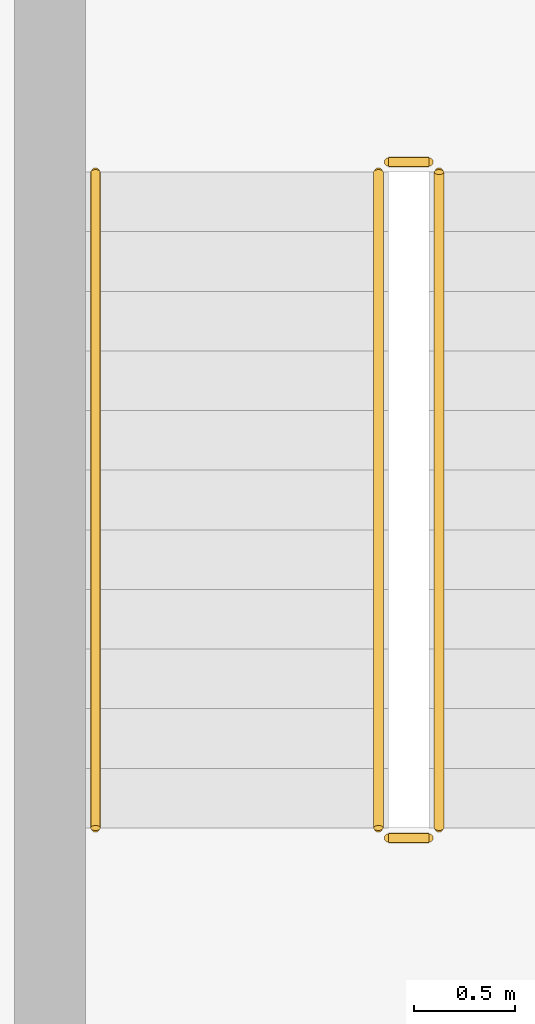
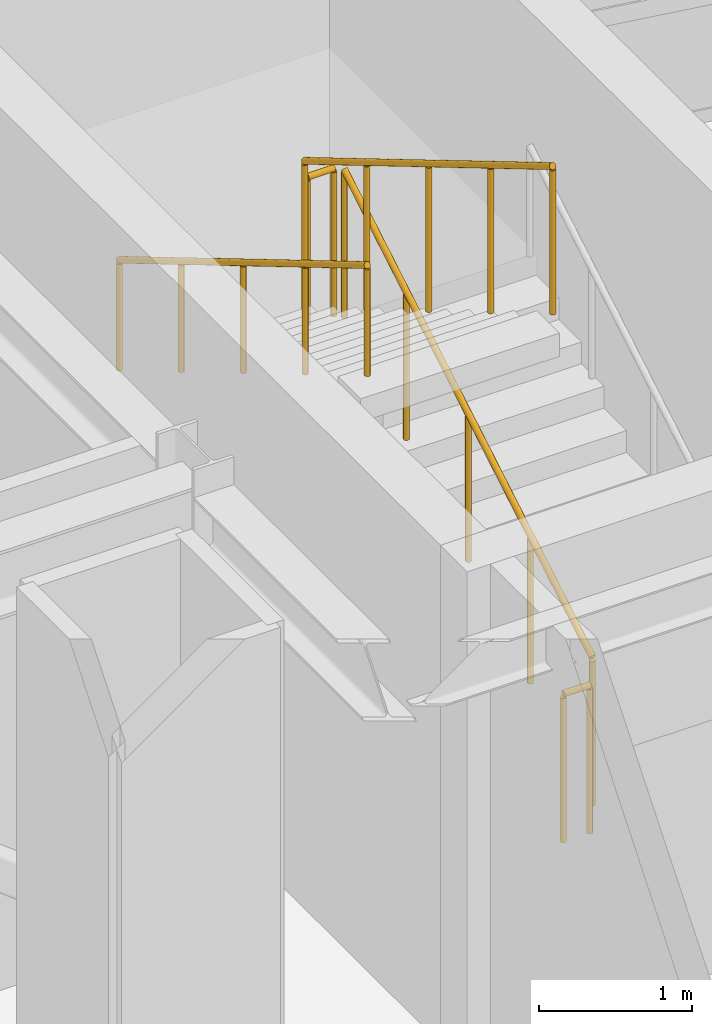
# One storey, part 75 of 76: 5 railings.
"""IFC4 building model written with IfcOpenShell, lengths in metres."""

from ifc_helpers import new_model, si_unit, direction, frame, origin, origin_2d, place, context, subcontext, project, spatial, circle, extrude, material, layer, layer_set, type_object, element, save


model = new_model("IFC4")

# Units and contexts
model_context = context("Model", 3, precision=1e-05, world=origin(), true_north=direction((0.0, 1.0)))
body_context = subcontext(model_context, "Body", "Model", "MODEL_VIEW")
ifc_project = project(units=[si_unit("LENGTHUNIT", "METRE"), si_unit("AREAUNIT", "SQUARE_METRE"), si_unit("VOLUMEUNIT", "CUBIC_METRE"), si_unit("PLANEANGLEUNIT", "RADIAN"), si_unit("MASSUNIT", "GRAM", prefix="KILO")], contexts=[model_context])

# Site, building, storey
site_placement = place(None, origin())
site = spatial("IfcSite", under=ifc_project, at=site_placement, CompositionType="ELEMENT")
building_placement = place(site_placement, origin())
building = spatial("IfcBuilding", under=site, at=building_placement, Name="Nordkorset Police Headquarters", CompositionType="ELEMENT")
storey_placement = place(building_placement, frame((0.0, 0.0, 13.64990234375)))
storey = spatial("IfcBuildingStorey", under=building, at=storey_placement, Name="L03", CompositionType="ELEMENT", Elevation=13.64990234375)

# Railings
ifc_material_1 = material(Name="Steel S355J2", Category="steel")
ifc_layer_1 = layer(ifc_material_1, 0.048095703125, Name="Steel S355J2")
ifc_layer_set_1 = layer_set([ifc_layer_1], Name="Steel S355J2")
railing_type_1 = type_object("IfcRailingType", Name="Railing_Handrail_900", PredefinedType="HANDRAIL", material=ifc_layer_set_1)
railing_1_placement = place(storey_placement, frame((58.97509765625, 113.77001953125, 2.275146484375)))
element("IfcRailing", 1, at=railing_1_placement, inside=storey, type_object=railing_type_1, Name="L03 ST-02 stair handrail 2", PredefinedType="HANDRAIL", context=body_context, shape_type="SweptSolid", body=[
    extrude(circle(Radius=0.02392578125, at=origin_2d()), frame((0.0, 0.0, 0.8759765625), z_axis=(0.0, -0.860057060016, 0.510197857224), x_axis=(1.0, 0.0, 0.0)), (0.0, 0.0, 1.0), 3.773193359375),
    extrude(circle(Radius=0.02099609375, at=origin_2d()), origin(), (0.0, 0.0, 1.0), 0.851806640625),
    extrude(circle(Radius=0.02099609375, at=origin_2d()), frame((0.0, -0.811279296875, 0.481201171875)), (0.0, 0.0, 1.0), 0.851806640625),
    extrude(circle(Radius=0.02099609375, at=origin_2d()), frame((0.0, -1.62255859375, 0.96240234375)), (0.0, 0.0, 1.0), 0.851806640625),
    extrude(circle(Radius=0.02099609375, at=origin_2d()), frame((0.0, -2.433837890625, 1.44384765625)), (0.0, 0.0, 1.0), 0.851806640625),
    extrude(circle(Radius=0.02099609375, at=origin_2d()), frame((0.0, -3.2451171875, 1.925048828125)), (0.0, 0.0, 1.0), 0.851806640625),
])
ifc_material_2 = material(Name="Steel S355J2", Category="steel")
ifc_layer_2 = layer(ifc_material_2, 0.050048828125, Name="Steel S355J2")
ifc_layer_set_2 = layer_set([ifc_layer_2], Name="Steel S355J2")
railing_type_2 = type_object("IfcRailingType", Name="Railing_StairGuard_1200", PredefinedType="GUARDRAIL", material=ifc_layer_set_2)
railing_2_placement = place(storey_placement, frame((60.675048828125, 110.52490234375, 0.175048828125)))
element("IfcRailing", 2, at=railing_2_placement, inside=storey, type_object=railing_type_2, Name="L03 ST-02 stair guard 1", PredefinedType="GUARDRAIL", context=body_context, shape_type="SweptSolid", body=[
    extrude(circle(Radius=0.02392578125, at=origin_2d()), frame((0.0, 0.0, 1.17578125), z_axis=(0.0, 0.860057060016, 0.510197857224), x_axis=(-1.0, 0.0, 0.0)), (0.0, 0.0, 1.0), 3.773193359375),
    extrude(circle(Radius=0.02099609375, at=origin_2d()), origin(), (0.0, 0.0, 1.0), 1.15185546875),
    extrude(circle(Radius=0.02099609375, at=origin_2d()), frame((0.0, 0.811279296875, 0.481201171875)), (0.0, 0.0, 1.0), 1.15185546875),
    extrude(circle(Radius=0.02099609375, at=origin_2d()), frame((0.0, 1.62255859375, 0.96240234375)), (0.0, 0.0, 1.0), 1.15185546875),
    extrude(circle(Radius=0.02099609375, at=origin_2d()), frame((0.0, 2.433837890625, 1.44384765625)), (0.0, 0.0, 1.0), 1.15185546875),
    extrude(circle(Radius=0.02099609375, at=origin_2d()), frame((0.0, 3.2451171875, 1.925048828125)), (0.0, 0.0, 1.0), 1.15185546875),
])
railing_3_placement = place(storey_placement, frame((60.625, 113.820068359375, 2.10009765625)))
element("IfcRailing", 3, at=railing_3_placement, inside=storey, type_object=railing_type_2, Name="L03 ST-02 stair guard 2", PredefinedType="GUARDRAIL", context=body_context, shape_type="SweptSolid", body=[
    extrude(circle(Radius=0.02392578125, at=origin_2d()), frame((0.0, 0.0, 1.17578125), z_axis=(-1.0, 0.0, 0.0), x_axis=(0.0, -1.0, 0.0)), (0.0, 0.0, 1.0), 0.199951171875),
    extrude(circle(Radius=0.02099609375, at=origin_2d()), origin(), (0.0, 0.0, 1.0), 1.15185546875),
    extrude(circle(Radius=0.02099609375, at=origin_2d()), frame((-0.199951171875, 0.0, 0.0)), (0.0, 0.0, 1.0), 1.15185546875),
])
railing_4_placement = place(storey_placement, frame((60.375, 113.77001953125, 2.275146484375)))
element("IfcRailing", 4, at=railing_4_placement, inside=storey, type_object=railing_type_2, Name="L03 ST-02 stair guard 3", PredefinedType="GUARDRAIL", context=body_context, shape_type="SweptSolid", body=[
    extrude(circle(Radius=0.02392578125, at=origin_2d()), frame((0.0, 0.0, 1.17578125), z_axis=(0.0, -0.860057060016, 0.510197857224), x_axis=(1.0, 0.0, 0.0)), (0.0, 0.0, 1.0), 3.773193359375),
    extrude(circle(Radius=0.02099609375, at=origin_2d()), origin(), (0.0, 0.0, 1.0), 1.15185546875),
    extrude(circle(Radius=0.02099609375, at=origin_2d()), frame((0.0, -0.811279296875, 0.481201171875)), (0.0, 0.0, 1.0), 1.15185546875),
    extrude(circle(Radius=0.02099609375, at=origin_2d()), frame((0.0, -1.62255859375, 0.96240234375)), (0.0, 0.0, 1.0), 1.15185546875),
    extrude(circle(Radius=0.02099609375, at=origin_2d()), frame((0.0, -2.433837890625, 1.44384765625)), (0.0, 0.0, 1.0), 1.15185546875),
    extrude(circle(Radius=0.02099609375, at=origin_2d()), frame((0.0, -3.2451171875, 1.925048828125)), (0.0, 0.0, 1.0), 1.15185546875),
])
railing_5_placement = place(storey_placement, frame((60.625, 110.47509765625, 0.0)))
element("IfcRailing", 5, at=railing_5_placement, inside=storey, type_object=railing_type_2, Name="L03 ST-02 stair guard 4", PredefinedType="GUARDRAIL", context=body_context, shape_type="SweptSolid", body=[
    extrude(circle(Radius=0.02392578125, at=origin_2d()), frame((0.0, 0.0, 1.17578125), z_axis=(-1.0, 0.0, 0.0), x_axis=(0.0, -1.0, 0.0)), (0.0, 0.0, 1.0), 0.199951171875),
    extrude(circle(Radius=0.02099609375, at=origin_2d()), origin(), (0.0, 0.0, 1.0), 1.15185546875),
    extrude(circle(Radius=0.02099609375, at=origin_2d()), frame((-0.199951171875, 0.0, 0.0)), (0.0, 0.0, 1.0), 1.15185546875),
])

save(model, "model.ifc")
